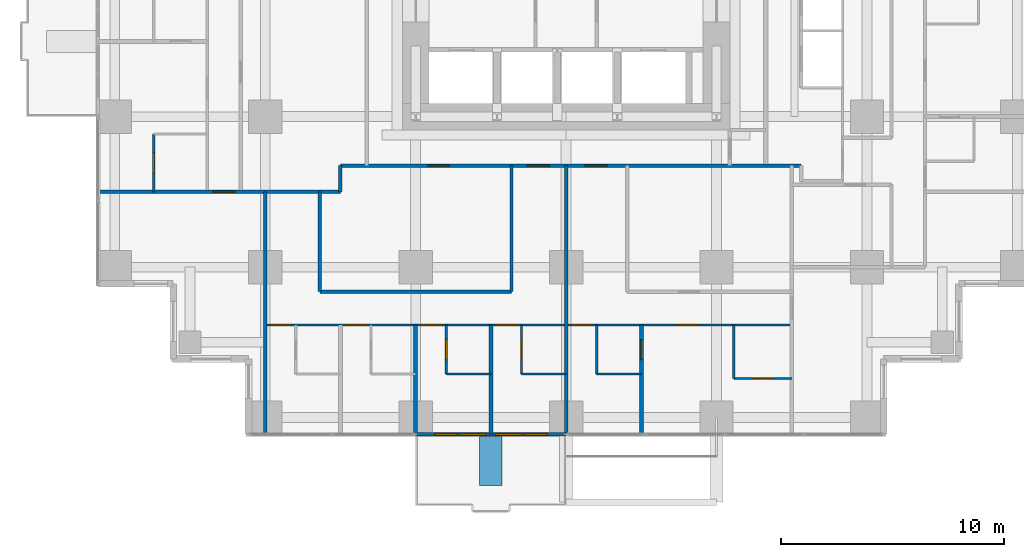
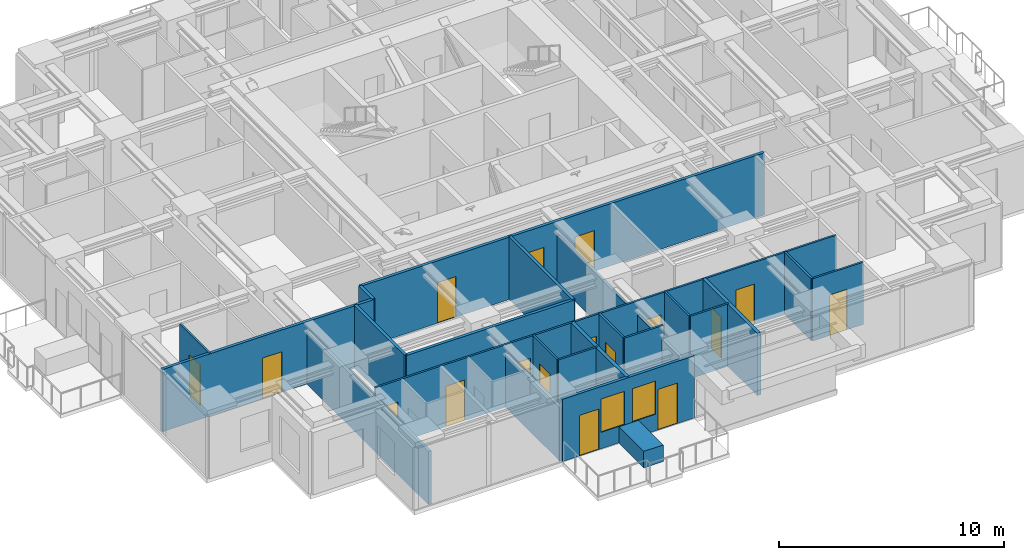
# One storey, part 7 of 13: 23 walls, 17 doors, 2 windows, 19 openings.
"""IFC4 building model written with IfcOpenShell, lengths in metres."""

from ifc_helpers import new_model, si_unit, direction, frame, frame_2d, origin, place, context, subcontext, project, spatial, rectangle, extrude, material, layer, layer_set, type_object, element, fill, save


model = new_model("IFC4")

# Units and contexts
model_context = context("Model", 3, precision=1e-05, world=origin(), true_north=direction((0.0, 1.0)))
body_context = subcontext(model_context, "Body", "Model", "MODEL_VIEW")
ifc_project = project(units=[si_unit("LENGTHUNIT", "METRE"), si_unit("AREAUNIT", "SQUARE_METRE"), si_unit("VOLUMEUNIT", "CUBIC_METRE"), si_unit("PLANEANGLEUNIT", "RADIAN"), si_unit("MASSUNIT", "GRAM", prefix="KILO")], contexts=[model_context])

# Site, building, storey
site_placement = place(None, origin())
site = spatial("IfcSite", under=ifc_project, at=site_placement, CompositionType="ELEMENT")
building_placement = place(site_placement, origin())
building = spatial("IfcBuilding", under=site, at=building_placement, Name="Nyansa Garden Tower", CompositionType="ELEMENT")
storey_placement = place(building_placement, frame((0.0, 0.0, 116.10009765625)))
storey = spatial("IfcBuildingStorey", under=building, at=storey_placement, Name="L31", CompositionType="ELEMENT", Elevation=116.10009765625)

# Walls
ifc_material_1 = material(Name="Dense blockwork, plastered both sides, 55 dB", Category="masonry")
ifc_layer_1 = layer(ifc_material_1, 0.175048828125)
ifc_layer_set_1 = layer_set([ifc_layer_1], Name="Acoustic party wall PW175")
wall_type_1 = type_object("IfcWallType", Name="Acoustic party wall PW175", PredefinedType="PARTITIONING", material=ifc_layer_set_1)
wall_1_placement = place(storey_placement, frame((13.5, -0.73388671875, 0.0), z_axis=(0.0, 0.0, 1.0), x_axis=(0.0, 1.0, 0.0)))
element("IfcWall", 1, at=wall_1_placement, inside=storey, type_object=wall_type_1, Name="Party wall", PredefinedType="PARTITIONING", context=body_context, shape_type="SweptSolid", body=[
    extrude(rectangle(XDim=4.8837890625, YDim=0.175048828125, at=frame_2d((2.44189453125, 0.0))), origin(), (0.0, 0.0, 1.0), 2.876953125),
])
wall_2_placement = place(storey_placement, frame((16.875, -0.73388671875, 0.0), z_axis=(0.0, 0.0, 1.0), x_axis=(0.0, 1.0, 0.0)))
element("IfcWall", 2, at=wall_2_placement, inside=storey, type_object=wall_type_1, Name="Party wall", PredefinedType="PARTITIONING", context=body_context, shape_type="SweptSolid", body=[
    extrude(rectangle(XDim=4.8837890625, YDim=0.175048828125, at=frame_2d((2.44189453125, 0.0))), origin(), (0.0, 0.0, 1.0), 3.375),
])

# Wall, opening, door
wall_3_placement = place(storey_placement, frame((23.625, -0.73388671875, 0.0), z_axis=(0.0, 0.0, 1.0), x_axis=(0.0, 1.0, 0.0)))
wall_3 = element("IfcWall", 3, at=wall_3_placement, inside=storey, type_object=wall_type_1, Name="Party wall", PredefinedType="PARTITIONING", context=body_context, shape_type="SweptSolid", body=[
    extrude(rectangle(XDim=4.8837890625, YDim=0.175048828125, at=frame_2d((2.44189453125, 0.0))), origin(), (0.0, 0.0, 1.0), 3.375),
])
opening_1_placement = place(wall_3_placement, frame((3.333984375, 0.0, 0.0)))
opening_1 = element("IfcOpeningElement", 4, at=opening_1_placement, cuts=wall_3, Name="Opening D02", PredefinedType="OPENING", context=body_context, shape_type="SweptSolid", body=[
    extrude(rectangle(XDim=0.89990234375, YDim=2.199951171875, at=frame_2d((0.449951171875, 1.10009765625))), frame((0.0, 0.097412109375, 0.0), z_axis=(0.0, -1.0, 0.0), x_axis=(1.0, 0.0, 0.0)), (0.0, 0.0, 1.0), 0.195068359375),
])
ifc_material_2 = material(Name="Timber flush door", Category="wood")
door_type_1 = type_object("IfcDoorType", Name="En-suite door D02 900x2200", OperationType="SINGLE_SWING_RIGHT", PredefinedType="DOOR", material=ifc_material_2)
door_1_placement = place(opening_1_placement, origin())
door_1 = element("IfcDoor", 5, at=door_1_placement, inside=storey, type_object=door_type_1, Name="Door L31-030", OperationType="SINGLE_SWING_RIGHT", OverallHeight=2.199951171875, OverallWidth=0.89990234375, PredefinedType="DOOR", context=body_context, shape_type="SweptSolid", body=[
    extrude(rectangle(XDim=0.89990234375, YDim=2.199951171875, at=frame_2d((0.449951171875, 1.10009765625))), frame((0.0, 0.02490234375, 0.0), z_axis=(0.0, -1.0, 0.0), x_axis=(1.0, 0.0, 0.0)), (0.0, 0.0, 1.0), 0.050048828125),
])
fill(opening_1, door_1)

# Wall, openings, doors, windows
ifc_material_3 = material(Name="Black aluminium framed glazed screen", Category="aluminium")
ifc_layer_2 = layer(ifc_material_3, 0.14990234375)
ifc_layer_set_2 = layer_set([ifc_layer_2], Name="Balcony screen wall BW150")
wall_type_2 = type_object("IfcWallType", Name="Balcony screen wall BW150", PredefinedType="SOLIDWALL", material=ifc_layer_set_2)
wall_4_placement = place(storey_placement, frame((20.25, -0.75, 0.0), z_axis=(0.0, 0.0, 1.0), x_axis=(-1.0, 0.0, 0.0)))
wall_4 = element("IfcWall", 6, at=wall_4_placement, inside=storey, type_object=wall_type_2, Name="Glazed screen wall L31 S", PredefinedType="SOLIDWALL", context=body_context, shape_type="SweptSolid", body=[
    extrude(rectangle(XDim=6.75, YDim=0.14990234375, at=frame_2d((3.375, 0.0))), origin(), (0.0, 0.0, 1.0), 3.375),
])
opening_2_placement = place(wall_4_placement, frame((0.862548828125, 0.0, 0.0)))
opening_2 = element("IfcOpeningElement", 7, at=opening_2_placement, cuts=wall_4, Name="Opening D20", PredefinedType="OPENING", context=body_context, shape_type="SweptSolid", body=[
    extrude(rectangle(XDim=1.0, YDim=2.199951171875, at=frame_2d((0.5, 1.10009765625))), frame((0.0, 0.0849609375, 0.0), z_axis=(0.0, -1.0, 0.0), x_axis=(1.0, 0.0, 0.0)), (0.0, 0.0, 1.0), 0.169921875),
])
opening_3_placement = place(wall_4_placement, frame((1.97509765625, 0.0, 0.89990234375)))
opening_3 = element("IfcOpeningElement", 8, at=opening_3_placement, cuts=wall_4, Name="Opening W6", PredefinedType="OPENING", context=body_context, shape_type="SweptSolid", body=[
    extrude(rectangle(XDim=1.199951171875, YDim=1.800048828125, at=frame_2d((0.60009765625, 0.89990234375))), frame((0.0, 0.0849609375, 0.0), z_axis=(0.0, -1.0, 0.0), x_axis=(1.0, 0.0, 0.0)), (0.0, 0.0, 1.0), 0.169921875),
])
opening_4_placement = place(wall_4_placement, frame((4.887451171875, 0.0, 0.0)))
opening_4 = element("IfcOpeningElement", 9, at=opening_4_placement, cuts=wall_4, Name="Opening D20", PredefinedType="OPENING", context=body_context, shape_type="SweptSolid", body=[
    extrude(rectangle(XDim=1.0, YDim=2.199951171875, at=frame_2d((0.5, 1.10009765625))), frame((0.0, 0.0849609375, 0.0), z_axis=(0.0, -1.0, 0.0), x_axis=(1.0, 0.0, 0.0)), (0.0, 0.0, 1.0), 0.169921875),
])
opening_5_placement = place(wall_4_placement, frame((3.574951171875, 0.0, 0.89990234375)))
opening_5 = element("IfcOpeningElement", 10, at=opening_5_placement, cuts=wall_4, Name="Opening W6", PredefinedType="OPENING", context=body_context, shape_type="SweptSolid", body=[
    extrude(rectangle(XDim=1.199951171875, YDim=1.800048828125, at=frame_2d((0.60009765625, 0.89990234375))), frame((0.0, 0.0849609375, 0.0), z_axis=(0.0, -1.0, 0.0), x_axis=(1.0, 0.0, 0.0)), (0.0, 0.0, 1.0), 0.169921875),
])
ifc_material_4 = material(Name="Black aluminium framed glazed door", Category="aluminium")
door_type_2 = type_object("IfcDoorType", Name="Balcony door D20 1000x2200", OperationType="NOTDEFINED", PredefinedType="DOOR", material=ifc_material_4)
door_2_placement = place(opening_2_placement, origin())
door_2 = element("IfcDoor", 11, at=door_2_placement, inside=storey, type_object=door_type_2, Name="Balcony door L31", OperationType="SINGLE_SWING_LEFT", OverallHeight=2.199951171875, OverallWidth=1.0, PredefinedType="DOOR", context=body_context, shape_type="SweptSolid", body=[
    extrude(rectangle(XDim=1.0, YDim=2.199951171875, at=frame_2d((0.5, 1.10009765625))), frame((0.0, 0.02490234375, 0.0), z_axis=(0.0, -1.0, 0.0), x_axis=(1.0, 0.0, 0.0)), (0.0, 0.0, 1.0), 0.050048828125),
])
fill(opening_2, door_2)
door_3_placement = place(opening_4_placement, origin())
door_3 = element("IfcDoor", 12, at=door_3_placement, inside=storey, type_object=door_type_2, Name="Balcony door L31", OperationType="SINGLE_SWING_RIGHT", OverallHeight=2.199951171875, OverallWidth=1.0, PredefinedType="DOOR", context=body_context, shape_type="SweptSolid", body=[
    extrude(rectangle(XDim=1.0, YDim=2.199951171875, at=frame_2d((0.5, 1.10009765625))), frame((0.0, 0.02490234375, 0.0), z_axis=(0.0, -1.0, 0.0), x_axis=(1.0, 0.0, 0.0)), (0.0, 0.0, 1.0), 0.050048828125),
])
fill(opening_4, door_3)
ifc_material_5 = material(Name="Black aluminium frame, dark tinted double glazing", Category="aluminium")
window_type = type_object("IfcWindowType", Name="Balcony window W6 1200x1800", PartitioningType="SINGLE_PANEL", PredefinedType="WINDOW", material=ifc_material_5)
window_1_placement = place(opening_3_placement, origin())
window_1 = element("IfcWindow", 13, at=window_1_placement, inside=storey, type_object=window_type, Name="Window L31", OverallHeight=1.800048828125, OverallWidth=1.199951171875, PartitioningType="SINGLE_PANEL", PredefinedType="WINDOW", context=body_context, shape_type="SweptSolid", body=[
    extrude(rectangle(XDim=1.199951171875, YDim=1.800048828125, at=frame_2d((0.60009765625, 0.89990234375))), frame((0.0, 0.030029296875, 0.0), z_axis=(0.0, -1.0, 0.0), x_axis=(1.0, 0.0, 0.0)), (0.0, 0.0, 1.0), 0.06005859375),
])
fill(opening_3, window_1)
window_2_placement = place(opening_5_placement, origin())
window_2 = element("IfcWindow", 14, at=window_2_placement, inside=storey, type_object=window_type, Name="Window L31", OverallHeight=1.800048828125, OverallWidth=1.199951171875, PartitioningType="SINGLE_PANEL", PredefinedType="WINDOW", context=body_context, shape_type="SweptSolid", body=[
    extrude(rectangle(XDim=1.199951171875, YDim=1.800048828125, at=frame_2d((0.60009765625, 0.89990234375))), frame((0.0, 0.030029296875, 0.0), z_axis=(0.0, -1.0, 0.0), x_axis=(1.0, 0.0, 0.0)), (0.0, 0.0, 1.0), 0.06005859375),
])
fill(opening_5, window_2)

# Wall, opening, door
ifc_material_6 = material(Name="Blockwork, plastered both sides", Category="masonry")
ifc_layer_3 = layer(ifc_material_6, 0.14990234375)
ifc_layer_set_3 = layer_set([ifc_layer_3], Name="Partition PW150")
wall_type_3 = type_object("IfcWallType", Name="Partition PW150", PredefinedType="PARTITIONING", material=ifc_layer_set_3)
wall_5_placement = place(storey_placement, frame((-0.73388671875, 10.125, 0.0), z_axis=(0.0, 0.0, 1.0), x_axis=(1.0, 0.0, 0.0)))
wall_5 = element("IfcWall", 15, at=wall_5_placement, inside=storey, type_object=wall_type_3, Name="Partition", PredefinedType="PARTITIONING", context=body_context, shape_type="SweptSolid", body=[
    extrude(rectangle(XDim=10.85888671875, YDim=0.14990234375, at=frame_2d((5.429443359375, 0.0))), origin(), (0.0, 0.0, 1.0), 3.375),
])
opening_6_placement = place(wall_5_placement, frame((5.134033203125, 0.0, 0.0)))
opening_6 = element("IfcOpeningElement", 16, at=opening_6_placement, cuts=wall_5, Name="Opening D03", PredefinedType="OPENING", context=body_context, shape_type="SweptSolid", body=[
    extrude(rectangle(XDim=1.0, YDim=2.199951171875, at=frame_2d((0.5, 1.10009765625))), frame((0.0, 0.0849609375, 0.0), z_axis=(0.0, -1.0, 0.0), x_axis=(1.0, 0.0, 0.0)), (0.0, 0.0, 1.0), 0.169921875),
])
ifc_material_7 = material(Name="Timber flush door, 60 minute fire resisting", Category="wood")
door_type_3 = type_object("IfcDoorType", Name="Cluster entrance door D03 1000x2200", OperationType="SINGLE_SWING_LEFT", PredefinedType="DOOR", material=ifc_material_7)
door_4_placement = place(opening_6_placement, origin())
door_4 = element("IfcDoor", 17, at=door_4_placement, inside=storey, type_object=door_type_3, Name="Door L31-017", OperationType="SINGLE_SWING_LEFT", OverallHeight=2.199951171875, OverallWidth=1.0, PredefinedType="DOOR", context=body_context, shape_type="SweptSolid", body=[
    extrude(rectangle(XDim=1.0, YDim=2.199951171875, at=frame_2d((0.5, 1.10009765625))), frame((0.0, 0.02490234375, 0.0), z_axis=(0.0, -1.0, 0.0), x_axis=(1.0, 0.0, 0.0)), (0.0, 0.0, 1.0), 0.050048828125),
])
fill(opening_6, door_4)

# Walls
wall_6_placement = place(storey_placement, frame((6.75, -0.73388671875, 0.0), z_axis=(0.0, 0.0, 1.0), x_axis=(0.0, 1.0, 0.0)))
element("IfcWall", 18, at=wall_6_placement, inside=storey, type_object=wall_type_3, Name="Partition", PredefinedType="PARTITIONING", context=body_context, shape_type="SweptSolid", body=[
    extrude(rectangle(XDim=10.85888671875, YDim=0.14990234375, at=frame_2d((5.429443359375, 0.0))), origin(), (0.0, 0.0, 1.0), 2.876953125),
])
wall_7_placement = place(storey_placement, frame((9.199951171875, 5.64990234375, 0.0), z_axis=(0.0, 0.0, 1.0), x_axis=(0.0, 1.0, 0.0)))
element("IfcWall", 19, at=wall_7_placement, inside=storey, type_object=wall_type_3, Name="Partition", PredefinedType="PARTITIONING", context=body_context, shape_type="SweptSolid", body=[
    extrude(rectangle(XDim=4.47509765625, YDim=0.14990234375, at=frame_2d((2.237548828125, 0.0))), origin(), (0.0, 0.0, 1.0), 3.375),
])
wall_8_placement = place(storey_placement, frame((9.199951171875, 5.64990234375, 0.0), z_axis=(0.0, 0.0, 1.0), x_axis=(1.0, 0.0, 0.0)))
element("IfcWall", 20, at=wall_8_placement, inside=storey, type_object=wall_type_3, Name="Partition", PredefinedType="PARTITIONING", context=body_context, shape_type="SweptSolid", body=[
    extrude(rectangle(XDim=8.60009765625, YDim=0.14990234375, at=frame_2d((4.300048828125, 0.0))), origin(), (0.0, 0.0, 1.0), 3.375),
])
wall_9_placement = place(storey_placement, frame((10.125, 10.125, 0.0), z_axis=(0.0, 0.0, 1.0), x_axis=(0.0, 1.0, 0.0)))
element("IfcWall", 21, at=wall_9_placement, inside=storey, type_object=wall_type_3, Name="Partition", PredefinedType="PARTITIONING", context=body_context, shape_type="SweptSolid", body=[
    extrude(rectangle(XDim=1.175048828125, YDim=0.14990234375, at=frame_2d((0.58740234375, 0.0))), origin(), (0.0, 0.0, 1.0), 3.375),
])

# Wall, openings, doors
wall_10_placement = place(storey_placement, frame((10.125, 11.300048828125, 0.0), z_axis=(0.0, 0.0, 1.0), x_axis=(1.0, 0.0, 0.0)))
wall_10 = element("IfcWall", 22, at=wall_10_placement, inside=storey, type_object=wall_type_3, Name="Partition", PredefinedType="PARTITIONING", context=body_context, shape_type="SweptSolid", body=[
    extrude(rectangle(XDim=20.675048828125, YDim=0.14990234375, at=frame_2d((10.33740234375, 0.0))), origin(), (0.0, 0.0, 1.0), 3.375),
])
opening_7_placement = place(wall_10_placement, frame((8.375, 0.0, 0.0)))
opening_7 = element("IfcOpeningElement", 23, at=opening_7_placement, cuts=wall_10, Name="Opening D03", PredefinedType="OPENING", context=body_context, shape_type="SweptSolid", body=[
    extrude(rectangle(XDim=1.0, YDim=2.199951171875, at=frame_2d((0.5, 1.10009765625))), frame((0.0, 0.0849609375, 0.0), z_axis=(0.0, -1.0, 0.0), x_axis=(1.0, 0.0, 0.0)), (0.0, 0.0, 1.0), 0.169921875),
])
opening_8_placement = place(wall_10_placement, frame((10.97509765625, 0.0, 0.0)))
opening_8 = element("IfcOpeningElement", 24, at=opening_8_placement, cuts=wall_10, Name="Opening D03", PredefinedType="OPENING", context=body_context, shape_type="SweptSolid", body=[
    extrude(rectangle(XDim=1.0, YDim=2.199951171875, at=frame_2d((0.5, 1.10009765625))), frame((0.0, 0.0849609375, 0.0), z_axis=(0.0, -1.0, 0.0), x_axis=(1.0, 0.0, 0.0)), (0.0, 0.0, 1.0), 0.169921875),
])
opening_9_placement = place(wall_10_placement, frame((3.925048828125, 0.0, 0.0)))
opening_9 = element("IfcOpeningElement", 25, at=opening_9_placement, cuts=wall_10, Name="Opening D01", PredefinedType="OPENING", context=body_context, shape_type="SweptSolid", body=[
    extrude(rectangle(XDim=0.949951171875, YDim=2.199951171875, at=frame_2d((0.47509765625, 1.10009765625))), frame((0.0, 0.0849609375, 0.0), z_axis=(0.0, -1.0, 0.0), x_axis=(1.0, 0.0, 0.0)), (0.0, 0.0, 1.0), 0.169921875),
])
ifc_material_8 = material(Name="Timber flush door, 30 minute fire resisting", Category="wood")
door_type_4 = type_object("IfcDoorType", Name="Bedroom door D01 950x2200", OperationType="SINGLE_SWING_LEFT", PredefinedType="DOOR", material=ifc_material_8)
door_5_placement = place(opening_9_placement, origin())
door_5 = element("IfcDoor", 26, at=door_5_placement, inside=storey, type_object=door_type_4, Name="Door L31-032", OperationType="SINGLE_SWING_LEFT", OverallHeight=2.199951171875, OverallWidth=0.949951171875, PredefinedType="DOOR", context=body_context, shape_type="SweptSolid", body=[
    extrude(rectangle(XDim=0.949951171875, YDim=2.199951171875, at=frame_2d((0.47509765625, 1.10009765625))), frame((0.0, 0.02490234375, 0.0), z_axis=(0.0, -1.0, 0.0), x_axis=(1.0, 0.0, 0.0)), (0.0, 0.0, 1.0), 0.050048828125),
])
fill(opening_9, door_5)
door_6_placement = place(opening_7_placement, origin())
door_6 = element("IfcDoor", 27, at=door_6_placement, inside=storey, type_object=door_type_3, Name="Door L31-026", OperationType="SINGLE_SWING_LEFT", OverallHeight=2.199951171875, OverallWidth=1.0, PredefinedType="DOOR", context=body_context, shape_type="SweptSolid", body=[
    extrude(rectangle(XDim=1.0, YDim=2.199951171875, at=frame_2d((0.5, 1.10009765625))), frame((0.0, 0.02490234375, 0.0), z_axis=(0.0, -1.0, 0.0), x_axis=(1.0, 0.0, 0.0)), (0.0, 0.0, 1.0), 0.050048828125),
])
fill(opening_7, door_6)
door_7_placement = place(opening_8_placement, origin())
door_7 = element("IfcDoor", 28, at=door_7_placement, inside=storey, type_object=door_type_3, Name="Door L31-031", OperationType="SINGLE_SWING_LEFT", OverallHeight=2.199951171875, OverallWidth=1.0, PredefinedType="DOOR", context=body_context, shape_type="SweptSolid", body=[
    extrude(rectangle(XDim=1.0, YDim=2.199951171875, at=frame_2d((0.5, 1.10009765625))), frame((0.0, 0.02490234375, 0.0), z_axis=(0.0, -1.0, 0.0), x_axis=(1.0, 0.0, 0.0)), (0.0, 0.0, 1.0), 0.050048828125),
])
fill(opening_8, door_7)

# Walls
wall_11_placement = place(storey_placement, frame((17.800048828125, 5.64990234375, 0.0), z_axis=(0.0, 0.0, 1.0), x_axis=(0.0, 1.0, 0.0)))
element("IfcWall", 29, at=wall_11_placement, inside=storey, type_object=wall_type_3, Name="Partition", PredefinedType="PARTITIONING", context=body_context, shape_type="SweptSolid", body=[
    extrude(rectangle(XDim=5.650146484375, YDim=0.14990234375, at=frame_2d((2.8251953125, 0.0))), origin(), (0.0, 0.0, 1.0), 3.375),
])
wall_12_placement = place(storey_placement, frame((20.25, -0.73388671875, 0.0), z_axis=(0.0, 0.0, 1.0), x_axis=(0.0, 1.0, 0.0)))
element("IfcWall", 30, at=wall_12_placement, inside=storey, type_object=wall_type_3, Name="Partition", PredefinedType="PARTITIONING", context=body_context, shape_type="SweptSolid", body=[
    extrude(rectangle(XDim=12.033935546875, YDim=0.14990234375, at=frame_2d((6.01708984375, 0.0))), origin(), (0.0, 0.0, 1.0), 2.60986328125),
])
ifc_material_9 = material(Name="Concrete C40/50 planter, waterproofed", Category="concrete")
ifc_layer_4 = layer(ifc_material_9, 1.0)
ifc_layer_set_4 = layer_set([ifc_layer_4], Name="Tree planter TP1")
wall_type_4 = type_object("IfcWallType", Name="Tree planter TP1", PredefinedType="USERDEFINED", material=ifc_layer_set_4)
wall_13_placement = place(storey_placement, frame((16.875, -0.85009765625, 0.0), z_axis=(0.0, 0.0, 1.0), x_axis=(0.0, -1.0, 0.0)))
element("IfcWall", 31, at=wall_13_placement, inside=storey, type_object=wall_type_4, Name="Tree planter L31", ObjectType="TREE PLANTER", PredefinedType="USERDEFINED", context=body_context, shape_type="SweptSolid", body=[
    extrude(rectangle(XDim=2.199951171875, YDim=1.0, at=frame_2d((1.10009765625, 0.0))), origin(), (0.0, 0.0, 1.0), 0.89990234375),
])

# Wall, opening, door
ifc_material_10 = material(Name="Moisture resistant board on steel studs, tiled", Category="steel")
ifc_layer_5 = layer(ifc_material_10, 0.10009765625)
ifc_layer_set_5 = layer_set([ifc_layer_5], Name="Wet wall PW100")
wall_type_5 = type_object("IfcWallType", Name="Wet wall PW100", PredefinedType="PARTITIONING", material=ifc_layer_set_5)
wall_14_placement = place(storey_placement, frame((1.75, 10.125, 0.0), z_axis=(0.0, 0.0, 1.0), x_axis=(0.0, 1.0, 0.0)))
wall_14 = element("IfcWall", 32, at=wall_14_placement, inside=storey, type_object=wall_type_5, Name="Wet wall", PredefinedType="PARTITIONING", context=body_context, shape_type="SweptSolid", body=[
    extrude(rectangle(XDim=2.60009765625, YDim=0.10009765625, at=frame_2d((1.300048828125, 0.0))), origin(), (0.0, 0.0, 1.0), 3.375),
])
opening_10_placement = place(wall_14_placement, frame((0.85009765625, 0.0, 0.0)))
opening_10 = element("IfcOpeningElement", 33, at=opening_10_placement, cuts=wall_14, Name="Opening D02", PredefinedType="OPENING", context=body_context, shape_type="SweptSolid", body=[
    extrude(rectangle(XDim=0.89990234375, YDim=2.199951171875, at=frame_2d((0.449951171875, 1.10009765625))), frame((0.0, 0.06005859375, 0.0), z_axis=(0.0, -1.0, 0.0), x_axis=(1.0, 0.0, 0.0)), (0.0, 0.0, 1.0), 0.1201171875),
])
door_8_placement = place(opening_10_placement, origin())
door_8 = element("IfcDoor", 34, at=door_8_placement, inside=storey, type_object=door_type_1, Name="Door L31-059", OperationType="SINGLE_SWING_RIGHT", OverallHeight=2.199951171875, OverallWidth=0.89990234375, PredefinedType="DOOR", context=body_context, shape_type="SweptSolid", body=[
    extrude(rectangle(XDim=0.89990234375, YDim=2.199951171875, at=frame_2d((0.449951171875, 1.10009765625))), frame((0.0, 0.02490234375, 0.0), z_axis=(0.0, -1.0, 0.0), x_axis=(1.0, 0.0, 0.0)), (0.0, 0.0, 1.0), 0.050048828125),
])
fill(opening_10, door_8)

# Wall, openings, doors
wall_15_placement = place(storey_placement, frame((6.75, 4.14990234375, 0.0), z_axis=(0.0, 0.0, 1.0), x_axis=(1.0, 0.0, 0.0)))
wall_15 = element("IfcWall", 35, at=wall_15_placement, inside=storey, type_object=wall_type_5, Name="Wet wall", PredefinedType="PARTITIONING", context=body_context, shape_type="SweptSolid", body=[
    extrude(rectangle(XDim=23.625, YDim=0.10009765625, at=frame_2d((11.8125, 0.0))), origin(), (0.0, 0.0, 1.0), 3.375),
])
opening_11_placement = place(wall_15_placement, frame((0.199951171875, 0.0, 0.0)))
opening_11 = element("IfcOpeningElement", 36, at=opening_11_placement, cuts=wall_15, Name="Opening D01", PredefinedType="OPENING", context=body_context, shape_type="SweptSolid", body=[
    extrude(rectangle(XDim=0.949951171875, YDim=2.199951171875, at=frame_2d((0.47509765625, 1.10009765625))), frame((0.0, 0.06005859375, 0.0), z_axis=(0.0, -1.0, 0.0), x_axis=(1.0, 0.0, 0.0)), (0.0, 0.0, 1.0), 0.1201171875),
])
opening_12_placement = place(wall_15_placement, frame((3.625, 0.0, 0.0)))
opening_12 = element("IfcOpeningElement", 37, at=opening_12_placement, cuts=wall_15, Name="Opening D01", PredefinedType="OPENING", context=body_context, shape_type="SweptSolid", body=[
    extrude(rectangle(XDim=0.949951171875, YDim=2.199951171875, at=frame_2d((0.47509765625, 1.10009765625))), frame((0.0, 0.06005859375, 0.0), z_axis=(0.0, -1.0, 0.0), x_axis=(1.0, 0.0, 0.0)), (0.0, 0.0, 1.0), 0.1201171875),
])
opening_13_placement = place(wall_15_placement, frame((7.0, 0.0, 0.0)))
opening_13 = element("IfcOpeningElement", 38, at=opening_13_placement, cuts=wall_15, Name="Opening D01", PredefinedType="OPENING", context=body_context, shape_type="SweptSolid", body=[
    extrude(rectangle(XDim=0.949951171875, YDim=2.199951171875, at=frame_2d((0.47509765625, 1.10009765625))), frame((0.0, 0.06005859375, 0.0), z_axis=(0.0, -1.0, 0.0), x_axis=(1.0, 0.0, 0.0)), (0.0, 0.0, 1.0), 0.1201171875),
])
opening_14_placement = place(wall_15_placement, frame((10.375, 0.0, 0.0)))
opening_14 = element("IfcOpeningElement", 39, at=opening_14_placement, cuts=wall_15, Name="Opening D01", PredefinedType="OPENING", context=body_context, shape_type="SweptSolid", body=[
    extrude(rectangle(XDim=0.949951171875, YDim=2.199951171875, at=frame_2d((0.47509765625, 1.10009765625))), frame((0.0, 0.06005859375, 0.0), z_axis=(0.0, -1.0, 0.0), x_axis=(1.0, 0.0, 0.0)), (0.0, 0.0, 1.0), 0.1201171875),
])
opening_15_placement = place(wall_15_placement, frame((18.47509765625, 0.0, 0.0)))
opening_15 = element("IfcOpeningElement", 40, at=opening_15_placement, cuts=wall_15, Name="Opening D14", PredefinedType="OPENING", context=body_context, shape_type="SweptSolid", body=[
    extrude(rectangle(XDim=0.949951171875, YDim=2.199951171875, at=frame_2d((0.47509765625, 1.10009765625))), frame((0.0, 0.06005859375, 0.0), z_axis=(0.0, -1.0, 0.0), x_axis=(1.0, 0.0, 0.0)), (0.0, 0.0, 1.0), 0.1201171875),
])
opening_16_placement = place(wall_15_placement, frame((13.699951171875, 0.0, 0.0)))
opening_16 = element("IfcOpeningElement", 41, at=opening_16_placement, cuts=wall_15, Name="Opening D14", PredefinedType="OPENING", context=body_context, shape_type="SweptSolid", body=[
    extrude(rectangle(XDim=0.949951171875, YDim=2.199951171875, at=frame_2d((0.47509765625, 1.10009765625))), frame((0.0, 0.06005859375, 0.0), z_axis=(0.0, -1.0, 0.0), x_axis=(1.0, 0.0, 0.0)), (0.0, 0.0, 1.0), 0.1201171875),
])
door_9_placement = place(opening_11_placement, origin())
door_9 = element("IfcDoor", 42, at=door_9_placement, inside=storey, type_object=door_type_4, Name="Door L31-018", OperationType="SINGLE_SWING_LEFT", OverallHeight=2.199951171875, OverallWidth=0.949951171875, PredefinedType="DOOR", context=body_context, shape_type="SweptSolid", body=[
    extrude(rectangle(XDim=0.949951171875, YDim=2.199951171875, at=frame_2d((0.47509765625, 1.10009765625))), frame((0.0, 0.02490234375, 0.0), z_axis=(0.0, -1.0, 0.0), x_axis=(1.0, 0.0, 0.0)), (0.0, 0.0, 1.0), 0.050048828125),
])
fill(opening_11, door_9)
door_10_placement = place(opening_12_placement, origin())
door_10 = element("IfcDoor", 43, at=door_10_placement, inside=storey, type_object=door_type_4, Name="Door L31-020", OperationType="SINGLE_SWING_LEFT", OverallHeight=2.199951171875, OverallWidth=0.949951171875, PredefinedType="DOOR", context=body_context, shape_type="SweptSolid", body=[
    extrude(rectangle(XDim=0.949951171875, YDim=2.199951171875, at=frame_2d((0.47509765625, 1.10009765625))), frame((0.0, 0.02490234375, 0.0), z_axis=(0.0, -1.0, 0.0), x_axis=(1.0, 0.0, 0.0)), (0.0, 0.0, 1.0), 0.050048828125),
])
fill(opening_12, door_10)
door_11_placement = place(opening_13_placement, origin())
door_11 = element("IfcDoor", 44, at=door_11_placement, inside=storey, type_object=door_type_4, Name="Door L31-022", OperationType="SINGLE_SWING_LEFT", OverallHeight=2.199951171875, OverallWidth=0.949951171875, PredefinedType="DOOR", context=body_context, shape_type="SweptSolid", body=[
    extrude(rectangle(XDim=0.949951171875, YDim=2.199951171875, at=frame_2d((0.47509765625, 1.10009765625))), frame((0.0, 0.02490234375, 0.0), z_axis=(0.0, -1.0, 0.0), x_axis=(1.0, 0.0, 0.0)), (0.0, 0.0, 1.0), 0.050048828125),
])
fill(opening_13, door_11)
door_12_placement = place(opening_14_placement, origin())
door_12 = element("IfcDoor", 45, at=door_12_placement, inside=storey, type_object=door_type_4, Name="Door L31-024", OperationType="SINGLE_SWING_LEFT", OverallHeight=2.199951171875, OverallWidth=0.949951171875, PredefinedType="DOOR", context=body_context, shape_type="SweptSolid", body=[
    extrude(rectangle(XDim=0.949951171875, YDim=2.199951171875, at=frame_2d((0.47509765625, 1.10009765625))), frame((0.0, 0.02490234375, 0.0), z_axis=(0.0, -1.0, 0.0), x_axis=(1.0, 0.0, 0.0)), (0.0, 0.0, 1.0), 0.050048828125),
])
fill(opening_14, door_12)
ifc_material_11 = material(Name="Timber flush door, 60 minute fire resisting, self-closing", Category="wood")
door_type_5 = type_object("IfcDoorType", Name="Studio entrance door D14 950x2200", OperationType="SINGLE_SWING_LEFT", PredefinedType="DOOR", material=ifc_material_11)
door_13_placement = place(opening_15_placement, origin())
door_13 = element("IfcDoor", 46, at=door_13_placement, inside=storey, type_object=door_type_5, Name="Door L31-027", OperationType="SINGLE_SWING_LEFT", OverallHeight=2.199951171875, OverallWidth=0.949951171875, PredefinedType="DOOR", context=body_context, shape_type="SweptSolid", body=[
    extrude(rectangle(XDim=0.949951171875, YDim=2.199951171875, at=frame_2d((0.47509765625, 1.10009765625))), frame((0.0, 0.02490234375, 0.0), z_axis=(0.0, -1.0, 0.0), x_axis=(1.0, 0.0, 0.0)), (0.0, 0.0, 1.0), 0.050048828125),
])
fill(opening_15, door_13)
door_14_placement = place(opening_16_placement, origin())
door_14 = element("IfcDoor", 47, at=door_14_placement, inside=storey, type_object=door_type_5, Name="Door L31-029", OperationType="SINGLE_SWING_LEFT", OverallHeight=2.199951171875, OverallWidth=0.949951171875, PredefinedType="DOOR", context=body_context, shape_type="SweptSolid", body=[
    extrude(rectangle(XDim=0.949951171875, YDim=2.199951171875, at=frame_2d((0.47509765625, 1.10009765625))), frame((0.0, 0.02490234375, 0.0), z_axis=(0.0, -1.0, 0.0), x_axis=(1.0, 0.0, 0.0)), (0.0, 0.0, 1.0), 0.050048828125),
])
fill(opening_16, door_14)

# Wall, opening, door
wall_16_placement = place(storey_placement, frame((14.875, 1.949951171875, 0.0), z_axis=(0.0, 0.0, 1.0), x_axis=(0.0, 1.0, 0.0)))
wall_16 = element("IfcWall", 48, at=wall_16_placement, inside=storey, type_object=wall_type_5, Name="Wet wall", PredefinedType="PARTITIONING", context=body_context, shape_type="SweptSolid", body=[
    extrude(rectangle(XDim=2.199951171875, YDim=0.10009765625, at=frame_2d((1.10009765625, 0.0))), origin(), (0.0, 0.0, 1.0), 3.375),
])
opening_17_placement = place(wall_16_placement, frame((0.64990234375, 0.0, 0.0)))
opening_17 = element("IfcOpeningElement", 49, at=opening_17_placement, cuts=wall_16, Name="Opening D02", PredefinedType="OPENING", context=body_context, shape_type="SweptSolid", body=[
    extrude(rectangle(XDim=0.89990234375, YDim=2.199951171875, at=frame_2d((0.449951171875, 1.10009765625))), frame((0.0, 0.06005859375, 0.0), z_axis=(0.0, -1.0, 0.0), x_axis=(1.0, 0.0, 0.0)), (0.0, 0.0, 1.0), 0.1201171875),
])
door_15_placement = place(opening_17_placement, origin())
door_15 = element("IfcDoor", 50, at=door_15_placement, inside=storey, type_object=door_type_1, Name="Door L31-023", OperationType="SINGLE_SWING_RIGHT", OverallHeight=2.199951171875, OverallWidth=0.89990234375, PredefinedType="DOOR", context=body_context, shape_type="SweptSolid", body=[
    extrude(rectangle(XDim=0.89990234375, YDim=2.199951171875, at=frame_2d((0.449951171875, 1.10009765625))), frame((0.0, 0.02490234375, 0.0), z_axis=(0.0, -1.0, 0.0), x_axis=(1.0, 0.0, 0.0)), (0.0, 0.0, 1.0), 0.050048828125),
])
fill(opening_17, door_15)

# Wall
wall_17_placement = place(storey_placement, frame((14.875, 1.949951171875, 0.0), z_axis=(0.0, 0.0, 1.0), x_axis=(1.0, 0.0, 0.0)))
element("IfcWall", 51, at=wall_17_placement, inside=storey, type_object=wall_type_5, Name="Wet wall", PredefinedType="PARTITIONING", context=body_context, shape_type="SweptSolid", body=[
    extrude(rectangle(XDim=2.0, YDim=0.10009765625, at=frame_2d((1.0, 0.0))), origin(), (0.0, 0.0, 1.0), 3.375),
])

# Wall, opening, door
wall_18_placement = place(storey_placement, frame((18.25, 1.949951171875, 0.0), z_axis=(0.0, 0.0, 1.0), x_axis=(0.0, 1.0, 0.0)))
wall_18 = element("IfcWall", 52, at=wall_18_placement, inside=storey, type_object=wall_type_5, Name="Wet wall", PredefinedType="PARTITIONING", context=body_context, shape_type="SweptSolid", body=[
    extrude(rectangle(XDim=2.199951171875, YDim=0.10009765625, at=frame_2d((1.10009765625, 0.0))), origin(), (0.0, 0.0, 1.0), 3.375),
])
opening_18_placement = place(wall_18_placement, frame((0.64990234375, 0.0, 0.0)))
opening_18 = element("IfcOpeningElement", 53, at=opening_18_placement, cuts=wall_18, Name="Opening D02", PredefinedType="OPENING", context=body_context, shape_type="SweptSolid", body=[
    extrude(rectangle(XDim=0.89990234375, YDim=2.199951171875, at=frame_2d((0.449951171875, 1.10009765625))), frame((0.0, 0.06005859375, 0.0), z_axis=(0.0, -1.0, 0.0), x_axis=(1.0, 0.0, 0.0)), (0.0, 0.0, 1.0), 0.1201171875),
])
door_16_placement = place(opening_18_placement, origin())
door_16 = element("IfcDoor", 54, at=door_16_placement, inside=storey, type_object=door_type_1, Name="Door L31-025", OperationType="SINGLE_SWING_RIGHT", OverallHeight=2.199951171875, OverallWidth=0.89990234375, PredefinedType="DOOR", context=body_context, shape_type="SweptSolid", body=[
    extrude(rectangle(XDim=0.89990234375, YDim=2.199951171875, at=frame_2d((0.449951171875, 1.10009765625))), frame((0.0, 0.02490234375, 0.0), z_axis=(0.0, -1.0, 0.0), x_axis=(1.0, 0.0, 0.0)), (0.0, 0.0, 1.0), 0.050048828125),
])
fill(opening_18, door_16)

# Walls
wall_19_placement = place(storey_placement, frame((18.25, 1.949951171875, 0.0), z_axis=(0.0, 0.0, 1.0), x_axis=(1.0, 0.0, 0.0)))
element("IfcWall", 55, at=wall_19_placement, inside=storey, type_object=wall_type_5, Name="Wet wall", PredefinedType="PARTITIONING", context=body_context, shape_type="SweptSolid", body=[
    extrude(rectangle(XDim=2.0, YDim=0.10009765625, at=frame_2d((1.0, 0.0))), origin(), (0.0, 0.0, 1.0), 3.375),
])
wall_20_placement = place(storey_placement, frame((21.625, 1.949951171875, 0.0), z_axis=(0.0, 0.0, 1.0), x_axis=(0.0, 1.0, 0.0)))
element("IfcWall", 56, at=wall_20_placement, inside=storey, type_object=wall_type_5, Name="Wet wall", PredefinedType="PARTITIONING", context=body_context, shape_type="SweptSolid", body=[
    extrude(rectangle(XDim=2.199951171875, YDim=0.10009765625, at=frame_2d((1.10009765625, 0.0))), origin(), (0.0, 0.0, 1.0), 3.375),
])
wall_21_placement = place(storey_placement, frame((21.625, 1.949951171875, 0.0), z_axis=(0.0, 0.0, 1.0), x_axis=(1.0, 0.0, 0.0)))
element("IfcWall", 57, at=wall_21_placement, inside=storey, type_object=wall_type_5, Name="Wet wall", PredefinedType="PARTITIONING", context=body_context, shape_type="SweptSolid", body=[
    extrude(rectangle(XDim=2.0, YDim=0.10009765625, at=frame_2d((1.0, 0.0))), origin(), (0.0, 0.0, 1.0), 3.375),
])
wall_22_placement = place(storey_placement, frame((27.77490234375, 1.75, 0.0), z_axis=(0.0, 0.0, 1.0), x_axis=(0.0, 1.0, 0.0)))
element("IfcWall", 58, at=wall_22_placement, inside=storey, type_object=wall_type_5, Name="Wet wall", PredefinedType="PARTITIONING", context=body_context, shape_type="SweptSolid", body=[
    extrude(rectangle(XDim=2.39990234375, YDim=0.10009765625, at=frame_2d((1.199951171875, 0.0))), origin(), (0.0, 0.0, 1.0), 3.375),
])

# Wall, opening, door
wall_23_placement = place(storey_placement, frame((27.77490234375, 1.75, 0.0), z_axis=(0.0, 0.0, 1.0), x_axis=(1.0, 0.0, 0.0)))
wall_23 = element("IfcWall", 59, at=wall_23_placement, inside=storey, type_object=wall_type_5, Name="Wet wall", PredefinedType="PARTITIONING", context=body_context, shape_type="SweptSolid", body=[
    extrude(rectangle(XDim=2.60009765625, YDim=0.10009765625, at=frame_2d((1.300048828125, 0.0))), origin(), (0.0, 0.0, 1.0), 3.375),
])
opening_19_placement = place(wall_23_placement, frame((0.85009765625, 0.0, 0.0)))
opening_19 = element("IfcOpeningElement", 60, at=opening_19_placement, cuts=wall_23, Name="Opening D02", PredefinedType="OPENING", context=body_context, shape_type="SweptSolid", body=[
    extrude(rectangle(XDim=0.89990234375, YDim=2.199951171875, at=frame_2d((0.449951171875, 1.10009765625))), frame((0.0, 0.06005859375, 0.0), z_axis=(0.0, -1.0, 0.0), x_axis=(1.0, 0.0, 0.0)), (0.0, 0.0, 1.0), 0.1201171875),
])
door_17_placement = place(opening_19_placement, origin())
door_17 = element("IfcDoor", 61, at=door_17_placement, inside=storey, type_object=door_type_1, Name="Door L31-028", OperationType="SINGLE_SWING_RIGHT", OverallHeight=2.199951171875, OverallWidth=0.89990234375, PredefinedType="DOOR", context=body_context, shape_type="SweptSolid", body=[
    extrude(rectangle(XDim=0.89990234375, YDim=2.199951171875, at=frame_2d((0.449951171875, 1.10009765625))), frame((0.0, 0.02490234375, 0.0), z_axis=(0.0, -1.0, 0.0), x_axis=(1.0, 0.0, 0.0)), (0.0, 0.0, 1.0), 0.050048828125),
])
fill(opening_19, door_17)

save(model, "model.ifc")
